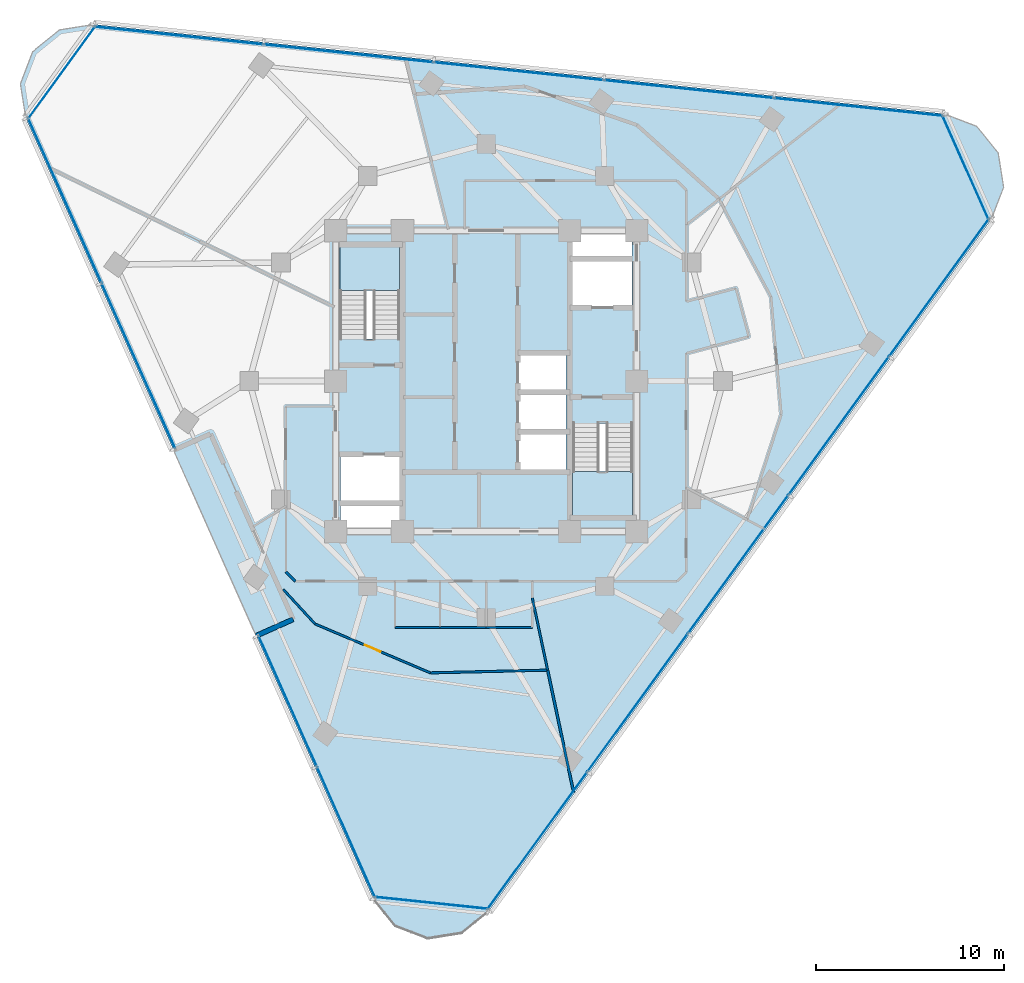
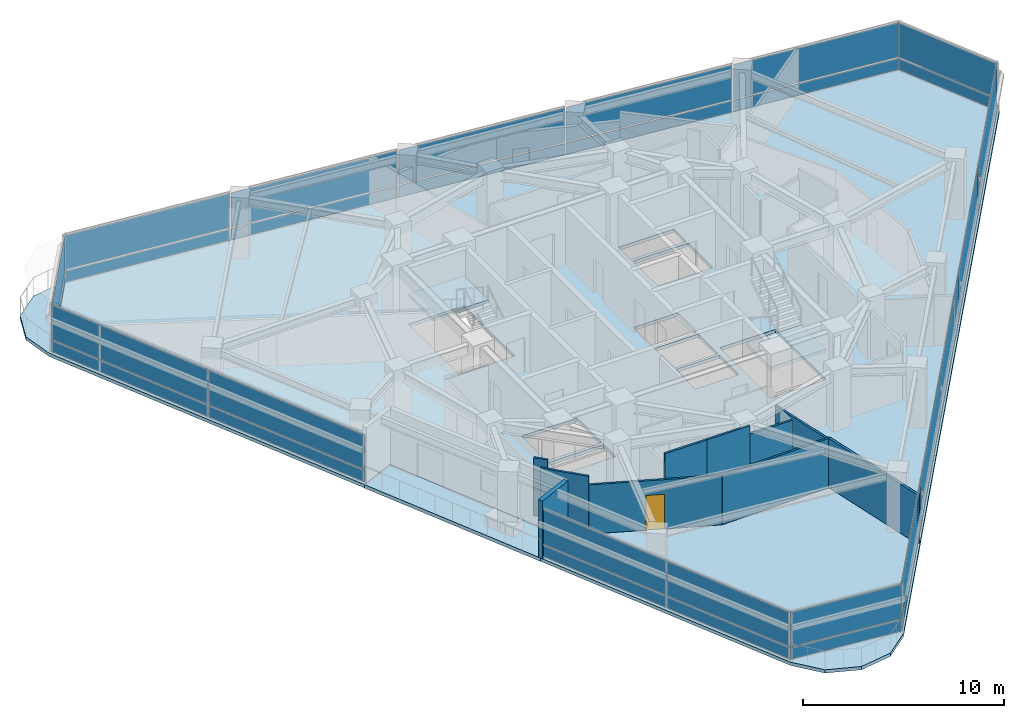
# One storey, part 7 of 14: 34 plates, 10 walls, 4 slabs, 1 door, 1 opening, 9 elements without a shape of their own.
"""IFC4 building model written with IfcOpenShell, lengths in metres."""

import ifcopenshell
import ifcopenshell.guid

model = None  # the IFC model being written
_history = None  # IfcOwnerHistory: only IFC2X3 demands one
_inside = {}  # id of a spatial element -> (the spatial element, [elements in it])
_under = {}  # id of a project, library or spatial element -> (it, [spatial elements below it])
_declared = {}  # id of a project -> (the project, [libraries it declares])
_typed = {}  # id of a type object -> (the type object, [elements of that type])
_made_of = {}  # id of a material, layer set ... -> (it, [elements and type objects made of it])


def new_model(schema):
    """Start an empty IFC model of exactly this schema.

    Asked for "IFC4X3", IfcOpenShell would pick the latest addendum, in which some entities
    have other attributes; the version numbers below select the first issue.
    IFC2X3 requires an IfcOwnerHistory on every rooted entity: one is made here for all.
    """
    global model, _history
    if schema == "IFC4X3":
        model = ifcopenshell.file(schema_version=(4, 3, 0, 0))
    else:
        model = ifcopenshell.file(schema=schema)
    _inside.clear()
    _under.clear()
    _declared.clear()
    _typed.clear()
    _made_of.clear()
    _history = None
    if model.schema == "IFC2X3":
        org = make("IfcOrganization", Name="unknown")
        user = make(
            "IfcPersonAndOrganization",
            ThePerson=make("IfcPerson", FamilyName="unknown"),
            TheOrganization=org,
        )
        app = make(
            "IfcApplication",
            ApplicationDeveloper=org,
            Version="unknown",
            ApplicationFullName="unknown",
            ApplicationIdentifier="unknown",
        )
        _history = make(
            "IfcOwnerHistory",
            OwningUser=user,
            OwningApplication=app,
            ChangeAction="ADDED",
            CreationDate=0,
        )
    return model


def make(cls, **values):
    """One entity of the class cls with the attributes given. An attribute that is None is left unset."""
    return model.create_entity(
        cls, **{name: value for name, value in values.items() if value is not None}
    )


def rooted(cls, **values):
    """An entity with a GlobalId (a new one), such as an element, a storey or a relation."""
    return make(cls, GlobalId=ifcopenshell.guid.new(), OwnerHistory=_history, **values)


def si_unit(unit_type, name, prefix=None):
    """IfcSIUnit, for example si_unit("LENGTHUNIT", "METRE", prefix="MILLI")."""
    return make("IfcSIUnit", UnitType=unit_type, Prefix=prefix, Name=name)


def assignment(units):
    """IfcUnitAssignment: the units of a project."""
    return None if units is None else make("IfcUnitAssignment", Units=units)


def point(xyz):
    """IfcCartesianPoint."""
    return None if xyz is None else make("IfcCartesianPoint", Coordinates=xyz)


def direction(xyz):
    """IfcDirection."""
    return None if xyz is None else make("IfcDirection", DirectionRatios=xyz)


def frame(location, z_axis=None, x_axis=None):
    """IfcAxis2Placement3D, a coordinate frame: its origin and axes. An axis left out is left unset."""
    return make(
        "IfcAxis2Placement3D",
        Location=point(location),
        Axis=direction(z_axis),
        RefDirection=direction(x_axis),
    )


def frame_2d(location, x_axis=None):
    """IfcAxis2Placement2D, a coordinate frame in the plane: its origin and x axis."""
    return make(
        "IfcAxis2Placement2D", Location=point(location), RefDirection=direction(x_axis)
    )


def origin():
    """The frame at (0, 0, 0) with its axes left unset."""
    return frame((0.0, 0.0, 0.0))


def origin_2d():
    """The frame at (0, 0) in the plane with its x axis left unset."""
    return frame_2d((0.0, 0.0))


def place(relative_to, where):
    """IfcLocalPlacement: puts the frame where relative to a parent placement (None: the world)."""
    return make(
        "IfcLocalPlacement", PlacementRelTo=relative_to, RelativePlacement=where
    )


def context(
    kind, dimensions, precision=None, world=None, true_north=None, identifier=None
):
    """IfcGeometricRepresentationContext, for example the 3D "Model" context."""
    return make(
        "IfcGeometricRepresentationContext",
        ContextIdentifier=identifier,
        ContextType=kind,
        CoordinateSpaceDimension=dimensions,
        Precision=precision,
        WorldCoordinateSystem=world,
        TrueNorth=true_north,
    )


def subcontext(parent, identifier, kind, view, scale=None):
    """IfcGeometricRepresentationSubContext, for example "Body" below "Model"."""
    return make(
        "IfcGeometricRepresentationSubContext",
        ContextIdentifier=identifier,
        ContextType=kind,
        ParentContext=parent,
        TargetScale=scale,
        TargetView=view,
    )


def project(units=None, contexts=None):
    """IfcProject with its units and contexts."""
    return rooted(
        "IfcProject",
        Name="project",
        RepresentationContexts=contexts,
        UnitsInContext=assignment(units),
    )


def spatial(cls, under=None, at=None, **own):
    """A site, building, storey or space (cls), placed at a placement, below another one or the project."""
    s = rooted(cls, ObjectPlacement=at, **own)
    if under is not None:
        _under.setdefault(under.id(), (under, []))[1].append(s)
    return s


def polyline(points):
    """IfcPolyline through the points."""
    return make("IfcPolyline", Points=[point(p) for p in points])


def profile(cls, at=None, kind="AREA", **sizes):
    """A parametric profile (cls). Its sizes go by their IFC names, for example OverallWidth=200.0."""
    return make(cls, ProfileType=kind, Position=at, **sizes)


def rectangle(**sizes):
    """IfcRectangleProfileDef."""
    return profile("IfcRectangleProfileDef", **sizes)


def outline(outer, holes=None, kind="AREA"):
    """IfcArbitraryClosedProfileDef: a profile drawn as a closed curve; with holes, ...WithVoids."""
    if holes is None:
        return make("IfcArbitraryClosedProfileDef", ProfileType=kind, OuterCurve=outer)
    return make(
        "IfcArbitraryProfileDefWithVoids",
        ProfileType=kind,
        OuterCurve=outer,
        InnerCurves=holes,
    )


def extrude(swept, where, along, depth):
    """IfcExtrudedAreaSolid: the profile swept, set in the frame where, extruded along a direction by depth."""
    return make(
        "IfcExtrudedAreaSolid",
        SweptArea=swept,
        Position=where,
        ExtrudedDirection=direction(along),
        Depth=depth,
    )


def shape(context_of_items, identifier, shape_type, items):
    """IfcShapeRepresentation: the items that make up one representation, for example the "Body"."""
    return make(
        "IfcShapeRepresentation",
        ContextOfItems=context_of_items,
        RepresentationIdentifier=identifier,
        RepresentationType=shape_type,
        Items=items,
    )


def material(Name=None, Category=None):
    """IfcMaterial."""
    return make("IfcMaterial", Name=Name, Category=Category)


def layer(
    of_material, thickness, ventilated=None, Name=None, Category=None, Priority=None
):
    """IfcMaterialLayer: one layer of a wall or slab, of a material (None: an air gap)."""
    return make(
        "IfcMaterialLayer",
        Material=of_material,
        LayerThickness=thickness,
        IsVentilated=ventilated,
        Name=Name,
        Category=Category,
        Priority=Priority,
    )


def layer_set(layers, Name=None):
    """IfcMaterialLayerSet."""
    return make("IfcMaterialLayerSet", MaterialLayers=layers, LayerSetName=Name)


def made_of(thing, what):
    """Note that an element or type object is made of a material, layer set ...; save() writes the relation."""
    if what is not None:
        _made_of.setdefault(what.id(), (what, []))[1].append(thing)
    return thing


def type_object(cls, material=None, **own):
    """A type object (cls), such as IfcWallType, which elements share."""
    return made_of(rooted(cls, **own), material)


def element(
    cls,
    number,
    at=None,
    inside=None,
    cuts=None,
    type_object=None,
    material=None,
    context=None,
    identifier="Body",
    shape_type=None,
    held_by="IfcProductDefinitionShape",
    body=None,
    shapes=None,
    **own,
):
    """One element of the class cls, such as IfcWall. Its Tag is "e" and its number.

    at: its placement. inside: the storey or other place that contains it. cuts: it is an
    opening in that element (IfcRelVoidsElement). A single representation is given by context,
    identifier, shape_type and body (its items); several are given by shapes. held_by: the class
    of the entity that holds the representations. save() writes the other relations.
    """
    e = rooted(cls, Tag="e%d" % number, ObjectPlacement=at, **own)
    if body is not None:
        shapes = [shape(context, identifier, shape_type, body)]
    if shapes is not None:
        e.Representation = make(held_by, Representations=shapes)
    if inside is not None:
        _inside.setdefault(inside.id(), (inside, []))[1].append(e)
    if cuts is not None:
        rooted(
            "IfcRelVoidsElement", RelatingBuildingElement=cuts, RelatedOpeningElement=e
        )
    if type_object is not None:
        _typed.setdefault(type_object.id(), (type_object, []))[1].append(e)
    return made_of(e, material)


def fill(opening, filler):
    """IfcRelFillsElement: the door or window that sits in an opening."""
    return rooted(
        "IfcRelFillsElement",
        RelatingOpeningElement=opening,
        RelatedBuildingElement=filler,
    )


def aggregate(whole, parts):
    """IfcRelAggregates: a whole, such as a stair, and the parts it consists of."""
    return rooted("IfcRelAggregates", RelatingObject=whole, RelatedObjects=parts)


def save(model, path):
    """Write the relations noted so far, then the file.

    IfcRelAggregates (storeys below a building ...), IfcRelContainedInSpatialStructure (elements
    in a storey), IfcRelDefinesByType, IfcRelAssociatesMaterial and IfcRelDeclares: one each for
    every whole, place, type object, material and project.
    """
    for whole, parts in _under.values():
        aggregate(whole, parts)
    for where, things in _inside.values():
        rooted(
            "IfcRelContainedInSpatialStructure",
            RelatedElements=things,
            RelatingStructure=where,
        )
    for kind, things in _typed.values():
        rooted("IfcRelDefinesByType", RelatedObjects=things, RelatingType=kind)
    for what, things in _made_of.values():
        rooted("IfcRelAssociatesMaterial", RelatedObjects=things, RelatingMaterial=what)
    for by, libraries in _declared.values():
        rooted("IfcRelDeclares", RelatingContext=by, RelatedDefinitions=libraries)
    model.write(path)


model = new_model("IFC4")

# Units and contexts
model_context = context("Model", 3, precision=1e-05, world=origin(), true_north=direction((0.0, 1.0)))
body_context = subcontext(model_context, "Body", "Model", "MODEL_VIEW")
ifc_project = project(units=[si_unit("LENGTHUNIT", "METRE"), si_unit("AREAUNIT", "SQUARE_METRE"), si_unit("VOLUMEUNIT", "CUBIC_METRE"), si_unit("PLANEANGLEUNIT", "RADIAN"), si_unit("MASSUNIT", "GRAM", prefix="KILO")], contexts=[model_context])

# Site, building, storey
site_placement = place(None, origin())
site = spatial("IfcSite", under=ifc_project, at=site_placement, CompositionType="ELEMENT")
building_placement = place(site_placement, origin())
building = spatial("IfcBuilding", under=site, at=building_placement, Name="Terralouvre Media Tower", CompositionType="ELEMENT")
storey_placement = place(building_placement, frame((0.0, 0.0, 226.300048828125)))
storey = spatial("IfcBuildingStorey", under=building, at=storey_placement, Name="L58", CompositionType="ELEMENT", Elevation=226.300048828125)

# Slabs
ifc_material_1 = material(Name="Concrete C40/50", Category="concrete")
ifc_layer_1 = layer(ifc_material_1, 0.199951171875, Name="Composite Tower Floor Slab S-TYP200")
ifc_layer_set_1 = layer_set([ifc_layer_1], Name="Concrete C40/50")
slab_type_1 = type_object("IfcSlabType", Name="Composite Tower Floor Slab S-TYP200", PredefinedType="FLOOR", material=ifc_layer_set_1)
slab_1_placement = place(storey_placement, frame((0.0, 0.0, -0.199951171875), z_axis=(0.0, 0.0, 1.0), x_axis=(0.587785252292, 0.809016994375, 0.0)))
element("IfcSlab", 1, at=slab_1_placement, inside=storey, type_object=slab_type_1, Name="L58 Structural Floor Slab", PredefinedType="FLOOR", context=body_context, shape_type="SweptSolid", body=[
    extrude(outline(polyline([(-3.074462890625, 28.04443359375), (-12.74951171875, 11.286865234375), (-10.887451171875, 10.2119140625), (-16.287353515625, 0.85888671875), (-18.1494140625, 1.933837890625), (-25.824462890625, -11.359619140625), (-26.300048828125, -13.134765625), (-25.824462890625, -14.90966796875), (-24.52490234375, -16.209228515625), (-22.75, -16.684814453125), (22.75, -16.684814453125), (24.52490234375, -16.209228515625), (25.824462890625, -14.90966796875), (26.300048828125, -13.134765625), (25.824462890625, -11.359619140625), (3.074462890625, 28.04443359375), (1.77490234375, 29.34375), (0.0, 29.8193359375), (-1.77490234375, 29.34375), (-3.074462890625, 28.04443359375)]), holes=[polyline([(-8.043212890625, -0.157958984375), (-9.01416015625, -0.86328125), (-10.86572265625, 1.68505859375), (-9.894775390625, 2.390380859375), (-8.043212890625, -0.157958984375)]), polyline([(-5.8994140625, 1.399658203125), (-7.881591796875, -0.040283203125), (-9.733154296875, 2.508056640625), (-7.7509765625, 3.9482421875), (-5.8994140625, 1.399658203125)]), polyline([(-3.169677734375, -7.98876953125), (0.887451171875, -5.041015625), (2.7568359375, -7.61376953125), (-1.300537109375, -10.5615234375), (-3.169677734375, -7.98876953125)]), polyline([(0.2490234375, -5.072265625), (-1.320556640625, -6.212646484375), (-2.7900390625, -4.190185546875), (-1.220458984375, -3.0498046875), (0.2490234375, -5.072265625)]), polyline([(1.947998046875, -3.838134765625), (0.37841796875, -4.978271484375), (-1.091064453125, -2.955810546875), (0.478515625, -1.8154296875), (1.947998046875, -3.838134765625)]), polyline([(3.64697265625, -2.603759765625), (2.077392578125, -3.743896484375), (0.60791015625, -1.721435546875), (2.177490234375, -0.5810546875), (3.64697265625, -2.603759765625)]), polyline([(3.169677734375, 7.98876953125), (-0.887451171875, 5.041015625), (-2.7568359375, 7.61376953125), (1.300537109375, 10.5615234375), (3.169677734375, 7.98876953125)]), polyline([(7.7509765625, -3.9482421875), (5.8994140625, -1.399658203125), (7.881591796875, 0.040283203125), (9.733154296875, -2.508056640625), (7.7509765625, -3.9482421875)]), polyline([(9.894775390625, -2.390380859375), (8.043212890625, 0.157958984375), (9.01416015625, 0.86328125), (10.86572265625, -1.68505859375), (9.894775390625, -2.390380859375)])]), origin(), (0.0, 0.0, 1.0), 0.199951171875),
])
ifc_material_2 = material(Name="Concrete C45/55", Category="concrete")
ifc_layer_2 = layer(ifc_material_2, 0.2099609375, Name="Planted Sky-Garden External Deck S-TER210")
ifc_layer_set_2 = layer_set([ifc_layer_2], Name="Concrete C45/55")
slab_type_2 = type_object("IfcSlabType", Name="Planted Sky-Garden External Deck S-TER210", PredefinedType="FLOOR", material=ifc_layer_set_2)
slab_2_placement = place(storey_placement, frame((0.0, 0.0, -0.2099609375), z_axis=(0.0, 0.0, 1.0), x_axis=(0.587785252292, 0.809016994375, 0.0)))
element("IfcSlab", 2, at=slab_2_placement, inside=storey, type_object=slab_type_2, Name="L58 Helical Planted Sky-Garden Deck 12", PredefinedType="FLOOR", context=body_context, shape_type="SweptSolid", body=[
    extrude(outline(polyline([(-12.749267578125, 11.286865234375), (-18.1494140625, 1.933837890625), (-16.287353515625, 0.85888671875), (-10.887451171875, 10.2119140625), (-12.749267578125, 11.286865234375)])), origin(), (0.0, 0.0, 1.0), 0.2099609375),
])

# Stair, slab
ifc_material_3 = material(Name="Concrete C45/55", Category="concrete")
stair_type_1 = type_object("IfcStairType", Name="Dogleg Stair Assembly ST-01", PredefinedType="HALF_TURN_STAIR", material=ifc_material_3)
stair_1_placement = place(storey_placement, origin())
stair_1 = element("IfcStair", 3, at=stair_1_placement, inside=storey, type_object=stair_type_1, Name="L58 Core Pressurised Exit Stair ST-01", PredefinedType="HALF_TURN_STAIR")
ifc_material_4 = material(Name="Concrete C45/55", Category="concrete")
ifc_layer_3 = layer(ifc_material_4, 0.199951171875, Name="Reinforced Concrete Stair Half-Landing SL-LD1")
ifc_layer_set_3 = layer_set([ifc_layer_3], Name="Concrete C45/55")
slab_type_3 = type_object("IfcSlabType", Name="Reinforced Concrete Stair Half-Landing SL-LD1", PredefinedType="LANDING", material=ifc_layer_set_3)
slab_3_placement = place(storey_placement, frame((0.0, 0.0, 1.64990234375)))
slab_3 = element("IfcSlab", 4, at=slab_3_placement, type_object=slab_type_3, Name="ST-01 landing 1", PredefinedType="LANDING", context=body_context, shape_type="SweptSolid", body=[
    extrude(outline(polyline([(-4.60009765625, 4.820068359375), (-4.60009765625, 7.260009765625), (-7.780029296875, 7.260009765625), (-7.780029296875, 4.820068359375), (-4.60009765625, 4.820068359375)])), origin(), (0.0, 0.0, 1.0), 0.199951171875),
])
aggregate(stair_1, [slab_3])

ifc_material_5 = material(Name="Concrete C45/55", Category="concrete")
stair_type_2 = type_object("IfcStairType", Name="Dogleg Stair Assembly ST-02", PredefinedType="HALF_TURN_STAIR", material=ifc_material_5)
stair_2_placement = place(storey_placement, origin())
stair_2 = element("IfcStair", 5, at=stair_2_placement, inside=storey, type_object=stair_type_2, Name="L58 Core Pressurised Exit Stair ST-02", PredefinedType="HALF_TURN_STAIR")
slab_4_placement = place(storey_placement, frame((0.0, 0.0, 1.64990234375)))
slab_4 = element("IfcSlab", 6, at=slab_4_placement, type_object=slab_type_3, Name="ST-02 landing 1", PredefinedType="LANDING", context=body_context, shape_type="SweptSolid", body=[
    extrude(outline(polyline([(4.60009765625, -4.820068359375), (4.60009765625, -7.260009765625), (7.780029296875, -7.260009765625), (7.780029296875, -4.820068359375), (4.60009765625, -4.820068359375)])), origin(), (0.0, 0.0, 1.0), 0.199951171875),
])
aggregate(stair_2, [slab_4])

# Curtain wall, plates
ifc_material_6 = material(Name="Low-iron laminated double glazing with solar-control coating", Category="glass")
ifc_layer_4 = layer(ifc_material_6, 0.1650390625, Name="Rounded Wind-Corner Curved Glazing CW-04")
ifc_layer_set_4 = layer_set([ifc_layer_4], Name="Low-iron laminated double glazing with solar-control coating")
curtain_wall_type_1 = type_object("IfcCurtainWallType", Name="Rounded Wind-Corner Curved Glazing CW-04", PredefinedType="NOTDEFINED", material=ifc_layer_set_4)
curtain_wall_1_placement = place(storey_placement, origin())
curtain_wall_1 = element("IfcCurtainWall", 7, at=curtain_wall_1_placement, inside=storey, type_object=curtain_wall_type_1, Name="L58 Rounded Wind-Corner Curtain Wall C0", PredefinedType="NOTDEFINED")
ifc_material_7 = material(Name="Low-iron laminated double glazing with solar-control coating", Category="glass")
ifc_layer_5 = layer(ifc_material_7, 0.0400390625, Name="Rounded Corner Laminated Vision Panel CWP-03")
ifc_layer_set_5 = layer_set([ifc_layer_5], Name="Low-iron laminated double glazing with solar-control coating")
plate_type_1 = type_object("IfcPlateType", Name="Rounded Corner Laminated Vision Panel CWP-03", PredefinedType="CURTAIN_PANEL", material=ifc_layer_set_5)
plate_1_placement = place(storey_placement, frame((-2.916748046875, -27.75146484375, 0.074951171875), z_axis=(0.0, 0.0, 1.0), x_axis=(0.994521944551, -0.104527995322, 0.0)))
plate_1 = element("IfcPlate", 8, at=plate_1_placement, type_object=plate_type_1, Name="CW-04 panel 1.1", PredefinedType="CURTAIN_PANEL", context=body_context, shape_type="SweptSolid", body=[
    extrude(rectangle(XDim=5.998779296875, YDim=0.035888671875, at=origin_2d()), origin(), (0.0, 0.0, 1.0), 0.6875),
])
plate_2_placement = place(storey_placement, frame((-2.916748046875, -27.75146484375, 0.83740234375), z_axis=(0.0, 0.0, 1.0), x_axis=(0.994521944551, -0.104527995322, 0.0)))
plate_2 = element("IfcPlate", 9, at=plate_2_placement, type_object=plate_type_1, Name="CW-04 panel 1.2", PredefinedType="CURTAIN_PANEL", context=body_context, shape_type="SweptSolid", body=[
    extrude(rectangle(XDim=5.998779296875, YDim=0.035888671875, at=origin_2d()), origin(), (0.0, 0.0, 1.0), 2.08740234375),
])
aggregate(curtain_wall_1, [plate_1, plate_2])

curtain_wall_2_placement = place(storey_placement, origin())
curtain_wall_2 = element("IfcCurtainWall", 10, at=curtain_wall_2_placement, inside=storey, type_object=curtain_wall_type_1, Name="L58 Rounded Wind-Corner Curtain Wall C1", PredefinedType="NOTDEFINED")
plate_3_placement = place(storey_placement, frame((25.491943359375, 11.349853515625, 0.074951171875), z_axis=(0.0, 0.0, 1.0), x_axis=(-0.406737441315, 0.913545102243, 0.0)))
plate_3 = element("IfcPlate", 11, at=plate_3_placement, type_object=plate_type_1, Name="CW-04 panel 1.1", PredefinedType="CURTAIN_PANEL", context=body_context, shape_type="SweptSolid", body=[
    extrude(rectangle(XDim=5.998779296875, YDim=0.035888671875, at=origin_2d()), origin(), (0.0, 0.0, 1.0), 0.6875),
])
plate_4_placement = place(storey_placement, frame((25.491943359375, 11.349853515625, 0.83740234375), z_axis=(0.0, 0.0, 1.0), x_axis=(-0.406737441315, 0.913545102243, 0.0)))
plate_4 = element("IfcPlate", 12, at=plate_4_placement, type_object=plate_type_1, Name="CW-04 panel 1.2", PredefinedType="CURTAIN_PANEL", context=body_context, shape_type="SweptSolid", body=[
    extrude(rectangle(XDim=5.998779296875, YDim=0.035888671875, at=origin_2d()), origin(), (0.0, 0.0, 1.0), 2.08740234375),
])
aggregate(curtain_wall_2, [plate_3, plate_4])

curtain_wall_3_placement = place(storey_placement, origin())
curtain_wall_3 = element("IfcCurtainWall", 13, at=curtain_wall_3_placement, inside=storey, type_object=curtain_wall_type_1, Name="L58 Rounded Wind-Corner Curtain Wall C2", PredefinedType="NOTDEFINED")
plate_5_placement = place(storey_placement, frame((-22.5751953125, 16.40185546875, 0.074951171875), z_axis=(0.0, 0.0, 1.0), x_axis=(-0.58778588998, -0.809016531067, 0.0)))
plate_5 = element("IfcPlate", 14, at=plate_5_placement, type_object=plate_type_1, Name="CW-04 panel 1.1", PredefinedType="CURTAIN_PANEL", context=body_context, shape_type="SweptSolid", body=[
    extrude(rectangle(XDim=5.998779296875, YDim=0.035888671875, at=origin_2d()), origin(), (0.0, 0.0, 1.0), 0.6875),
])
plate_6_placement = place(storey_placement, frame((-22.5751953125, 16.40185546875, 0.83740234375), z_axis=(0.0, 0.0, 1.0), x_axis=(-0.58778588998, -0.809016531067, 0.0)))
plate_6 = element("IfcPlate", 15, at=plate_6_placement, type_object=plate_type_1, Name="CW-04 panel 1.2", PredefinedType="CURTAIN_PANEL", context=body_context, shape_type="SweptSolid", body=[
    extrude(rectangle(XDim=5.998779296875, YDim=0.035888671875, at=origin_2d()), origin(), (0.0, 0.0, 1.0), 2.08740234375),
])
aggregate(curtain_wall_3, [plate_5, plate_6])

ifc_material_8 = material(Name="Low-iron laminated double glazing with solar-control coating", Category="glass")
ifc_layer_6 = layer(ifc_material_8, 0.1650390625, Name="Upper Executive Tower Curtain Wall CW-05")
ifc_layer_set_6 = layer_set([ifc_layer_6], Name="Low-iron laminated double glazing with solar-control coating")
curtain_wall_type_2 = type_object("IfcCurtainWallType", Name="Upper Executive Tower Curtain Wall CW-05", PredefinedType="NOTDEFINED", material=ifc_layer_set_6)
curtain_wall_4_placement = place(storey_placement, origin())
curtain_wall_4 = element("IfcCurtainWall", 16, at=curtain_wall_4_placement, inside=storey, type_object=curtain_wall_type_2, Name="L58 Facade Curtain Wall F0", PredefinedType="NOTDEFINED")
ifc_material_9 = material(Name="Low-iron laminated double glazing with solar-control coating", Category="glass")
ifc_layer_7 = layer(ifc_material_9, 0.035888671875, Name="Vision Double-Glazed Unit CWP-01")
ifc_layer_set_7 = layer_set([ifc_layer_7], Name="Low-iron laminated double glazing with solar-control coating")
plate_type_2 = type_object("IfcPlateType", Name="Vision Double-Glazed Unit CWP-01", PredefinedType="CURTAIN_PANEL", material=ifc_layer_set_7)
plate_7_placement = place(storey_placement, frame((2.71435546875, -24.4453125, 0.074951171875), z_axis=(0.0, 0.0, 1.0), x_axis=(0.587785300879, 0.809016959074, 0.0)))
plate_7 = element("IfcPlate", 17, at=plate_7_placement, type_object=plate_type_2, Name="CW-05 panel 1.1", PredefinedType="CURTAIN_PANEL", context=body_context, shape_type="SweptSolid", body=[
    extrude(rectangle(XDim=8.987548828125, YDim=0.035888671875, at=origin_2d()), origin(), (0.0, 0.0, 1.0), 0.6875),
])
plate_8_placement = place(storey_placement, frame((2.71435546875, -24.4453125, 0.83740234375), z_axis=(0.0, 0.0, 1.0), x_axis=(0.587785300879, 0.809016959074, 0.0)))
plate_8 = element("IfcPlate", 18, at=plate_8_placement, type_object=plate_type_2, Name="CW-05 panel 1.2", PredefinedType="CURTAIN_PANEL", context=body_context, shape_type="SweptSolid", body=[
    extrude(rectangle(XDim=8.987548828125, YDim=0.035888671875, at=origin_2d()), origin(), (0.0, 0.0, 1.0), 2.08740234375),
])
plate_9_placement = place(storey_placement, frame((8.05224609375, -17.0986328125, 0.074951171875), z_axis=(0.0, 0.0, 1.0), x_axis=(0.587785300879, 0.809016959074, 0.0)))
plate_9 = element("IfcPlate", 19, at=plate_9_placement, type_object=plate_type_2, Name="CW-05 panel 2.1", PredefinedType="CURTAIN_PANEL", context=body_context, shape_type="SweptSolid", body=[
    extrude(rectangle(XDim=9.02490234375, YDim=0.035888671875, at=origin_2d()), origin(), (0.0, 0.0, 1.0), 0.6875),
])
plate_10_placement = place(storey_placement, frame((8.05224609375, -17.0986328125, 0.83740234375), z_axis=(0.0, 0.0, 1.0), x_axis=(0.587785300879, 0.809016959074, 0.0)))
plate_10 = element("IfcPlate", 20, at=plate_10_placement, type_object=plate_type_2, Name="CW-05 panel 2.2", PredefinedType="CURTAIN_PANEL", context=body_context, shape_type="SweptSolid", body=[
    extrude(rectangle(XDim=9.02490234375, YDim=0.035888671875, at=origin_2d()), origin(), (0.0, 0.0, 1.0), 2.08740234375),
])
plate_11_placement = place(storey_placement, frame((13.401123046875, -9.736572265625, 0.074951171875), z_axis=(0.0, 0.0, 1.0), x_axis=(0.587785300879, 0.809016959074, 0.0)))
plate_11 = element("IfcPlate", 21, at=plate_11_placement, type_object=plate_type_2, Name="CW-05 panel 3.1", PredefinedType="CURTAIN_PANEL", context=body_context, shape_type="SweptSolid", body=[
    extrude(rectangle(XDim=9.02490234375, YDim=0.035888671875, at=origin_2d()), origin(), (0.0, 0.0, 1.0), 0.6875),
])
plate_12_placement = place(storey_placement, frame((13.401123046875, -9.736572265625, 0.83740234375), z_axis=(0.0, 0.0, 1.0), x_axis=(0.587785300879, 0.809016959074, 0.0)))
plate_12 = element("IfcPlate", 22, at=plate_12_placement, type_object=plate_type_2, Name="CW-05 panel 3.2", PredefinedType="CURTAIN_PANEL", context=body_context, shape_type="SweptSolid", body=[
    extrude(rectangle(XDim=9.02490234375, YDim=0.035888671875, at=origin_2d()), origin(), (0.0, 0.0, 1.0), 2.08740234375),
])
plate_13_placement = place(storey_placement, frame((18.75, -2.37451171875, 0.074951171875), z_axis=(0.0, 0.0, 1.0), x_axis=(0.587785300879, 0.809016959074, 0.0)))
plate_13 = element("IfcPlate", 23, at=plate_13_placement, type_object=plate_type_2, Name="CW-05 panel 4.1", PredefinedType="CURTAIN_PANEL", context=body_context, shape_type="SweptSolid", body=[
    extrude(rectangle(XDim=9.02490234375, YDim=0.035888671875, at=origin_2d()), origin(), (0.0, 0.0, 1.0), 0.6875),
])
plate_14_placement = place(storey_placement, frame((18.75, -2.37451171875, 0.83740234375), z_axis=(0.0, 0.0, 1.0), x_axis=(0.587785300879, 0.809016959074, 0.0)))
plate_14 = element("IfcPlate", 24, at=plate_14_placement, type_object=plate_type_2, Name="CW-05 panel 4.2", PredefinedType="CURTAIN_PANEL", context=body_context, shape_type="SweptSolid", body=[
    extrude(rectangle(XDim=9.02490234375, YDim=0.035888671875, at=origin_2d()), origin(), (0.0, 0.0, 1.0), 2.08740234375),
])
plate_15_placement = place(storey_placement, frame((24.087890625, 4.972412109375, 0.074951171875), z_axis=(0.0, 0.0, 1.0), x_axis=(0.587785300879, 0.809016959074, 0.0)))
plate_15 = element("IfcPlate", 25, at=plate_15_placement, type_object=plate_type_2, Name="CW-05 panel 5.1", PredefinedType="CURTAIN_PANEL", context=body_context, shape_type="SweptSolid", body=[
    extrude(rectangle(XDim=8.987548828125, YDim=0.035888671875, at=origin_2d()), origin(), (0.0, 0.0, 1.0), 0.6875),
])
plate_16_placement = place(storey_placement, frame((24.087890625, 4.972412109375, 0.83740234375), z_axis=(0.0, 0.0, 1.0), x_axis=(0.587785300879, 0.809016959074, 0.0)))
plate_16 = element("IfcPlate", 26, at=plate_16_placement, type_object=plate_type_2, Name="CW-05 panel 5.2", PredefinedType="CURTAIN_PANEL", context=body_context, shape_type="SweptSolid", body=[
    extrude(rectangle(XDim=8.987548828125, YDim=0.035888671875, at=origin_2d()), origin(), (0.0, 0.0, 1.0), 2.08740234375),
])
aggregate(curtain_wall_4, [plate_7, plate_8, plate_9, plate_10, plate_11, plate_12, plate_13, plate_14, plate_15, plate_16])

curtain_wall_5_placement = place(storey_placement, origin())
curtain_wall_5 = element("IfcCurtainWall", 27, at=curtain_wall_5_placement, inside=storey, type_object=curtain_wall_type_2, Name="L58 Facade Curtain Wall F1", PredefinedType="NOTDEFINED")
plate_17_placement = place(storey_placement, frame((19.813232421875, 14.573486328125, 0.074951171875), z_axis=(0.0, 0.0, 1.0), x_axis=(-0.994521885028, 0.104528561651, 0.0)))
plate_17 = element("IfcPlate", 28, at=plate_17_placement, type_object=plate_type_2, Name="CW-05 panel 1.1", PredefinedType="CURTAIN_PANEL", context=body_context, shape_type="SweptSolid", body=[
    extrude(rectangle(XDim=8.987548828125, YDim=0.035888671875, at=origin_2d()), origin(), (0.0, 0.0, 1.0), 0.6875),
])
plate_18_placement = place(storey_placement, frame((19.813232421875, 14.573486328125, 0.83740234375), z_axis=(0.0, 0.0, 1.0), x_axis=(-0.994521885028, 0.104528561651, 0.0)))
plate_18 = element("IfcPlate", 29, at=plate_18_placement, type_object=plate_type_2, Name="CW-05 panel 1.2", PredefinedType="CURTAIN_PANEL", context=body_context, shape_type="SweptSolid", body=[
    extrude(rectangle(XDim=8.987548828125, YDim=0.035888671875, at=origin_2d()), origin(), (0.0, 0.0, 1.0), 2.08740234375),
])
plate_19_placement = place(storey_placement, frame((10.78173828125, 15.522705078125, 0.074951171875), z_axis=(0.0, 0.0, 1.0), x_axis=(-0.994521885028, 0.104528561651, 0.0)))
plate_19 = element("IfcPlate", 30, at=plate_19_placement, type_object=plate_type_2, Name="CW-05 panel 2.1", PredefinedType="CURTAIN_PANEL", context=body_context, shape_type="SweptSolid", body=[
    extrude(rectangle(XDim=9.02490234375, YDim=0.035888671875, at=origin_2d()), origin(), (0.0, 0.0, 1.0), 0.6875),
])
plate_20_placement = place(storey_placement, frame((10.78173828125, 15.522705078125, 0.83740234375), z_axis=(0.0, 0.0, 1.0), x_axis=(-0.994521885028, 0.104528561651, 0.0)))
plate_20 = element("IfcPlate", 31, at=plate_20_placement, type_object=plate_type_2, Name="CW-05 panel 2.2", PredefinedType="CURTAIN_PANEL", context=body_context, shape_type="SweptSolid", body=[
    extrude(rectangle(XDim=9.02490234375, YDim=0.035888671875, at=origin_2d()), origin(), (0.0, 0.0, 1.0), 2.08740234375),
])
plate_21_placement = place(storey_placement, frame((1.7314453125, 16.473876953125, 0.074951171875), z_axis=(0.0, 0.0, 1.0), x_axis=(-0.994521885028, 0.104528561651, 0.0)))
plate_21 = element("IfcPlate", 32, at=plate_21_placement, type_object=plate_type_2, Name="CW-05 panel 3.1", PredefinedType="CURTAIN_PANEL", context=body_context, shape_type="SweptSolid", body=[
    extrude(rectangle(XDim=9.02490234375, YDim=0.035888671875, at=origin_2d()), origin(), (0.0, 0.0, 1.0), 0.6875),
])
plate_22_placement = place(storey_placement, frame((1.7314453125, 16.473876953125, 0.83740234375), z_axis=(0.0, 0.0, 1.0), x_axis=(-0.994521885028, 0.104528561651, 0.0)))
plate_22 = element("IfcPlate", 33, at=plate_22_placement, type_object=plate_type_2, Name="CW-05 panel 3.2", PredefinedType="CURTAIN_PANEL", context=body_context, shape_type="SweptSolid", body=[
    extrude(rectangle(XDim=9.02490234375, YDim=0.035888671875, at=origin_2d()), origin(), (0.0, 0.0, 1.0), 2.08740234375),
])
plate_23_placement = place(storey_placement, frame((-7.318603515625, 17.42529296875, 0.074951171875), z_axis=(0.0, 0.0, 1.0), x_axis=(-0.994521885028, 0.104528561651, 0.0)))
plate_23 = element("IfcPlate", 34, at=plate_23_placement, type_object=plate_type_2, Name="CW-05 panel 4.1", PredefinedType="CURTAIN_PANEL", context=body_context, shape_type="SweptSolid", body=[
    extrude(rectangle(XDim=9.02490234375, YDim=0.035888671875, at=origin_2d()), origin(), (0.0, 0.0, 1.0), 0.6875),
])
plate_24_placement = place(storey_placement, frame((-7.318603515625, 17.42529296875, 0.83740234375), z_axis=(0.0, 0.0, 1.0), x_axis=(-0.994521885028, 0.104528561651, 0.0)))
plate_24 = element("IfcPlate", 35, at=plate_24_placement, type_object=plate_type_2, Name="CW-05 panel 4.2", PredefinedType="CURTAIN_PANEL", context=body_context, shape_type="SweptSolid", body=[
    extrude(rectangle(XDim=9.02490234375, YDim=0.035888671875, at=origin_2d()), origin(), (0.0, 0.0, 1.0), 2.08740234375),
])
plate_25_placement = place(storey_placement, frame((-16.35009765625, 18.37451171875, 0.074951171875), z_axis=(0.0, 0.0, 1.0), x_axis=(-0.994521885028, 0.104528561651, 0.0)))
plate_25 = element("IfcPlate", 36, at=plate_25_placement, type_object=plate_type_2, Name="CW-05 panel 5.1", PredefinedType="CURTAIN_PANEL", context=body_context, shape_type="SweptSolid", body=[
    extrude(rectangle(XDim=8.987548828125, YDim=0.035888671875, at=origin_2d()), origin(), (0.0, 0.0, 1.0), 0.6875),
])
plate_26_placement = place(storey_placement, frame((-16.35009765625, 18.37451171875, 0.83740234375), z_axis=(0.0, 0.0, 1.0), x_axis=(-0.994521885028, 0.104528561651, 0.0)))
plate_26 = element("IfcPlate", 37, at=plate_26_placement, type_object=plate_type_2, Name="CW-05 panel 5.2", PredefinedType="CURTAIN_PANEL", context=body_context, shape_type="SweptSolid", body=[
    extrude(rectangle(XDim=8.987548828125, YDim=0.035888671875, at=origin_2d()), origin(), (0.0, 0.0, 1.0), 2.08740234375),
])
aggregate(curtain_wall_5, [plate_17, plate_18, plate_19, plate_20, plate_21, plate_22, plate_23, plate_24, plate_25, plate_26])

curtain_wall_6_placement = place(storey_placement, origin())
curtain_wall_6 = element("IfcCurtainWall", 38, at=curtain_wall_6_placement, inside=storey, type_object=curtain_wall_type_2, Name="L58 Left Flank Curtain Wall F2", PredefinedType="NOTDEFINED")
plate_27_placement = place(storey_placement, frame((-22.41064453125, 9.609375, 0.074951171875), z_axis=(0.0, 0.0, 1.0), x_axis=(0.406736988415, -0.913545303888, 0.0)))
plate_27 = element("IfcPlate", 39, at=plate_27_placement, type_object=plate_type_2, Name="CW-05 panel 1.1", PredefinedType="CURTAIN_PANEL", context=body_context, shape_type="SweptSolid", body=[
    extrude(rectangle(XDim=9.5625, YDim=0.035888671875, at=origin_2d()), origin(), (0.0, 0.0, 1.0), 0.6875),
])
plate_28_placement = place(storey_placement, frame((-22.41064453125, 9.609375, 0.83740234375), z_axis=(0.0, 0.0, 1.0), x_axis=(0.406736988415, -0.913545303888, 0.0)))
plate_28 = element("IfcPlate", 40, at=plate_28_placement, type_object=plate_type_2, Name="CW-05 panel 1.2", PredefinedType="CURTAIN_PANEL", context=body_context, shape_type="SweptSolid", body=[
    extrude(rectangle(XDim=9.5625, YDim=0.035888671875, at=origin_2d()), origin(), (0.0, 0.0, 1.0), 2.08740234375),
])
plate_29_placement = place(storey_placement, frame((-18.49072265625, 0.804931640625, 0.074951171875), z_axis=(0.0, 0.0, 1.0), x_axis=(0.406736988415, -0.913545303888, 0.0)))
plate_29 = element("IfcPlate", 41, at=plate_29_placement, type_object=plate_type_2, Name="CW-05 panel 2.1", PredefinedType="CURTAIN_PANEL", context=body_context, shape_type="SweptSolid", body=[
    extrude(rectangle(XDim=9.5625, YDim=0.035888671875, at=origin_2d()), origin(), (0.0, 0.0, 1.0), 0.6875),
])
plate_30_placement = place(storey_placement, frame((-18.49072265625, 0.804931640625, 0.83740234375), z_axis=(0.0, 0.0, 1.0), x_axis=(0.406736988415, -0.913545303888, 0.0)))
plate_30 = element("IfcPlate", 42, at=plate_30_placement, type_object=plate_type_2, Name="CW-05 panel 2.2", PredefinedType="CURTAIN_PANEL", context=body_context, shape_type="SweptSolid", body=[
    extrude(rectangle(XDim=9.5625, YDim=0.035888671875, at=origin_2d()), origin(), (0.0, 0.0, 1.0), 2.08740234375),
])
aggregate(curtain_wall_6, [plate_27, plate_28, plate_29, plate_30])

curtain_wall_7_placement = place(storey_placement, origin())
curtain_wall_7 = element("IfcCurtainWall", 43, at=curtain_wall_7_placement, inside=storey, type_object=curtain_wall_type_2, Name="L58 Right Flank Curtain Wall F2", PredefinedType="NOTDEFINED")
plate_31_placement = place(storey_placement, frame((-10.55419921875, -17.0205078125, 0.074951171875), z_axis=(0.0, 0.0, 1.0), x_axis=(0.406735819915, -0.913545824137, 0.0)))
plate_31 = element("IfcPlate", 44, at=plate_31_placement, type_object=plate_type_2, Name="CW-05 panel 1.1", PredefinedType="CURTAIN_PANEL", context=body_context, shape_type="SweptSolid", body=[
    extrude(rectangle(XDim=7.5625, YDim=0.035888671875, at=origin_2d()), origin(), (0.0, 0.0, 1.0), 0.6875),
])
plate_32_placement = place(storey_placement, frame((-10.55419921875, -17.0205078125, 0.83740234375), z_axis=(0.0, 0.0, 1.0), x_axis=(0.406735819915, -0.913545824137, 0.0)))
plate_32 = element("IfcPlate", 45, at=plate_32_placement, type_object=plate_type_2, Name="CW-05 panel 1.2", PredefinedType="CURTAIN_PANEL", context=body_context, shape_type="SweptSolid", body=[
    extrude(rectangle(XDim=7.5625, YDim=0.035888671875, at=origin_2d()), origin(), (0.0, 0.0, 1.0), 2.08740234375),
])
plate_33_placement = place(storey_placement, frame((-7.44775390625, -23.997802734375, 0.074951171875), z_axis=(0.0, 0.0, 1.0), x_axis=(0.406735819915, -0.913545824137, 0.0)))
plate_33 = element("IfcPlate", 46, at=plate_33_placement, type_object=plate_type_2, Name="CW-05 panel 2.1", PredefinedType="CURTAIN_PANEL", context=body_context, shape_type="SweptSolid", body=[
    extrude(rectangle(XDim=7.5625, YDim=0.035888671875, at=origin_2d()), origin(), (0.0, 0.0, 1.0), 0.6875),
])
plate_34_placement = place(storey_placement, frame((-7.44775390625, -23.997802734375, 0.83740234375), z_axis=(0.0, 0.0, 1.0), x_axis=(0.406735819915, -0.913545824137, 0.0)))
plate_34 = element("IfcPlate", 47, at=plate_34_placement, type_object=plate_type_2, Name="CW-05 panel 2.2", PredefinedType="CURTAIN_PANEL", context=body_context, shape_type="SweptSolid", body=[
    extrude(rectangle(XDim=7.5625, YDim=0.035888671875, at=origin_2d()), origin(), (0.0, 0.0, 1.0), 2.08740234375),
])
aggregate(curtain_wall_7, [plate_31, plate_32, plate_33, plate_34])

# Walls
ifc_material_10 = material(Name="Fire-rated gypsum board drywall partition")
ifc_layer_8 = layer(ifc_material_10, 0.135009765625, Name="Newsroom Acoustic Partition PT-135")
ifc_layer_set_8 = layer_set([ifc_layer_8], Name="Fire-rated gypsum board drywall partition")
wall_type_1 = type_object("IfcWallType", Name="Newsroom Acoustic Partition PT-135", PredefinedType="PARTITIONING", material=ifc_layer_set_8)
wall_1_placement = place(storey_placement, frame((4.645263671875, -21.85595703125, 0.0), z_axis=(0.0, 0.0, 1.0), x_axis=(-0.207797956892, 0.978171768715, 0.0)))
element("IfcWall", 48, at=wall_1_placement, inside=storey, type_object=wall_type_1, Name="L58 Interior Partition 037", PredefinedType="PARTITIONING", context=body_context, shape_type="SweptSolid", body=[
    extrude(rectangle(XDim=6.627685546875, YDim=0.135009765625, at=frame_2d((3.31396484375, 0.0))), origin(), (0.0, 0.0, 1.0), 2.98486328125),
])
ifc_material_11 = material(Name="Kiln-fired architectural terracotta rainscreen cladding", Category="masonry")
ifc_layer_9 = layer(ifc_material_11, 0.260009765625, Name="Recessed Sky-Garden Acoustic Wall EW-SG260")
ifc_layer_set_9 = layer_set([ifc_layer_9], Name="Kiln-fired architectural terracotta rainscreen cladding")
wall_type_2 = type_object("IfcWallType", Name="Recessed Sky-Garden Acoustic Wall EW-SG260", PredefinedType="SOLIDWALL", material=ifc_layer_set_9)
wall_2_placement = place(storey_placement, frame((-10.268310546875, -12.672119140625, 0.0), z_axis=(0.0, 0.0, 1.0), x_axis=(-0.913539751874, -0.406749458199, 0.0)))
element("IfcWall", 49, at=wall_2_placement, inside=storey, type_object=wall_type_2, Name="L58 SG Pocket Right Cheek Wall", PredefinedType="SOLIDWALL", context=body_context, shape_type="SweptSolid", body=[
    extrude(rectangle(XDim=2.14990234375, YDim=0.260009765625, at=frame_2d((1.074951171875, 0.0))), origin(), (0.0, 0.0, 1.0), 3.5),
])
ifc_material_12 = material(Name="Fire-rated gypsum board drywall partition")
ifc_layer_10 = layer(ifc_material_12, 0.114990234375, Name="Restroom and Pantry Partition PT-115")
ifc_layer_set_10 = layer_set([ifc_layer_10], Name="Fire-rated gypsum board drywall partition")
wall_type_3 = type_object("IfcWallType", Name="Restroom and Pantry Partition PT-115", PredefinedType="PARTITIONING", material=ifc_layer_set_10)
wall_3_placement = place(storey_placement, frame((-10.64990234375, -10.14990234375, 0.0), z_axis=(0.0, 0.0, 1.0), x_axis=(0.707106781187, -0.707106781187, 0.0)))
element("IfcWall", 50, at=wall_3_placement, inside=storey, type_object=wall_type_3, Name="L58 Interior Partition 007", PredefinedType="PARTITIONING", context=body_context, shape_type="SweptSolid", body=[
    extrude(rectangle(XDim=0.70703125, YDim=0.114990234375, at=frame_2d((0.353515625, 0.0))), origin(), (0.0, 0.0, 1.0), 3.5),
])
wall_4_placement = place(storey_placement, frame((-2.449951171875, -13.10009765625, 0.0), z_axis=(0.0, 0.0, 1.0), x_axis=(-1.0, 0.0, 0.0)))
element("IfcWall", 51, at=wall_4_placement, inside=storey, type_object=wall_type_3, Name="L58 Interior Partition 026", PredefinedType="PARTITIONING", context=body_context, shape_type="SweptSolid", body=[
    extrude(rectangle(XDim=2.400146484375, YDim=0.114990234375, at=frame_2d((1.2001953125, 0.0))), origin(), (0.0, 0.0, 1.0), 3.5),
])
wall_5_placement = place(storey_placement, frame((-10.784912109375, -11.08740234375, 0.0), z_axis=(0.0, 0.0, 1.0), x_axis=(0.677598765999, -0.735431786311, 0.0)))
element("IfcWall", 52, at=wall_5_placement, inside=storey, type_object=wall_type_3, Name="L58 Interior Partition 028", PredefinedType="PARTITIONING", context=body_context, shape_type="SweptSolid", body=[
    extrude(rectangle(XDim=2.486328125, YDim=0.114990234375, at=frame_2d((1.2431640625, 0.0))), origin(), (0.0, 0.0, 1.0), 3.5),
])

# Wall, opening, door
wall_6_placement = place(storey_placement, frame((-9.10009765625, -12.916015625, 0.0), z_axis=(0.0, 0.0, 1.0), x_axis=(0.920506675175, -0.390726836752, 0.0)))
wall_6 = element("IfcWall", 53, at=wall_6_placement, inside=storey, type_object=wall_type_3, Name="L58 Interior Partition 029", PredefinedType="PARTITIONING", context=body_context, shape_type="SweptSolid", body=[
    extrude(rectangle(XDim=6.659423828125, YDim=0.114990234375, at=frame_2d((3.32958984375, 0.0))), origin(), (0.0, 0.0, 1.0), 2.98486328125),
])
opening_placement = place(wall_6_placement, frame((2.86962890625, 0.0, 0.0)))
opening = element("IfcOpeningElement", 54, at=opening_placement, cuts=wall_6, Name="Opening ID-03-92X210", PredefinedType="OPENING", context=body_context, shape_type="SweptSolid", body=[
    extrude(rectangle(XDim=0.919921875, YDim=2.10009765625, at=frame_2d((0.4599609375, 1.050048828125))), frame((0.0, 0.0673828125, 0.0), z_axis=(0.0, -1.0, 0.0), x_axis=(1.0, 0.0, 0.0)), (0.0, 0.0, 1.0), 0.135009765625),
])
ifc_material_13 = material(Name="Engineered hardwood acoustic timber leaf", Category="wood")
door_type = type_object("IfcDoorType", Name="Accessible Restroom and Suite Door ID-03 (920x2100)", OperationType="NOTDEFINED", PredefinedType="DOOR", material=ifc_material_13)
door_placement = place(opening_placement, origin())
door = element("IfcDoor", 55, at=door_placement, inside=storey, type_object=door_type, Name="L58 Sealed Legal Archive Storage 3 Door", OperationType="SINGLE_SWING_RIGHT", OverallHeight=2.10009765625, OverallWidth=0.919921875, PredefinedType="DOOR", context=body_context, shape_type="SweptSolid", body=[
    extrude(rectangle(XDim=0.919921875, YDim=2.10009765625, at=frame_2d((0.4599609375, 1.050048828125))), frame((0.0, 0.02490234375, 0.0), z_axis=(0.0, -1.0, 0.0), x_axis=(1.0, 0.0, 0.0)), (0.0, 0.0, 1.0), 0.050048828125),
])
fill(opening, door)

# Walls
wall_7_placement = place(storey_placement, frame((-2.969970703125, -15.51806640625, 0.0), z_axis=(0.0, 0.0, 1.0), x_axis=(0.99972988351, 0.023241342836, 0.0)))
element("IfcWall", 56, at=wall_7_placement, inside=storey, type_object=wall_type_3, Name="L58 Interior Partition 030", PredefinedType="PARTITIONING", context=body_context, shape_type="SweptSolid", body=[
    extrude(rectangle(XDim=6.23974609375, YDim=0.114990234375, at=frame_2d((3.119873046875, 0.0))), origin(), (0.0, 0.0, 1.0), 2.98486328125),
])
wall_8_placement = place(storey_placement, frame((0.0, -13.10009765625, 0.0), z_axis=(0.0, 0.0, 1.0), x_axis=(-1.0, 0.0, 0.0)))
element("IfcWall", 57, at=wall_8_placement, inside=storey, type_object=wall_type_3, Name="L58 Interior Partition 031", PredefinedType="PARTITIONING", context=body_context, shape_type="SweptSolid", body=[
    extrude(rectangle(XDim=2.449951171875, YDim=0.114990234375, at=frame_2d((1.22509765625, 0.0))), origin(), (0.0, 0.0, 1.0), 3.5),
])
wall_9_placement = place(storey_placement, frame((2.449951171875, -13.10009765625, 0.0), z_axis=(0.0, 0.0, 1.0), x_axis=(-1.0, 0.0, 0.0)))
element("IfcWall", 58, at=wall_9_placement, inside=storey, type_object=wall_type_3, Name="L58 Interior Partition 033", PredefinedType="PARTITIONING", context=body_context, shape_type="SweptSolid", body=[
    extrude(rectangle(XDim=2.449951171875, YDim=0.114990234375, at=frame_2d((1.22509765625, 0.0))), origin(), (0.0, 0.0, 1.0), 2.98486328125),
])
wall_10_placement = place(storey_placement, frame((3.26806640625, -15.373046875, 0.0), z_axis=(0.0, 0.0, 1.0), x_axis=(-0.208002774368, 0.978128235895, 0.0)))
element("IfcWall", 59, at=wall_10_placement, inside=storey, type_object=wall_type_3, Name="L58 Interior Partition 034", PredefinedType="PARTITIONING", context=body_context, shape_type="SweptSolid", body=[
    extrude(rectangle(XDim=3.93310546875, YDim=0.114990234375, at=frame_2d((1.966552734375, 0.0))), origin(), (0.0, 0.0, 1.0), 2.885009765625),
])

save(model, "model.ifc")
